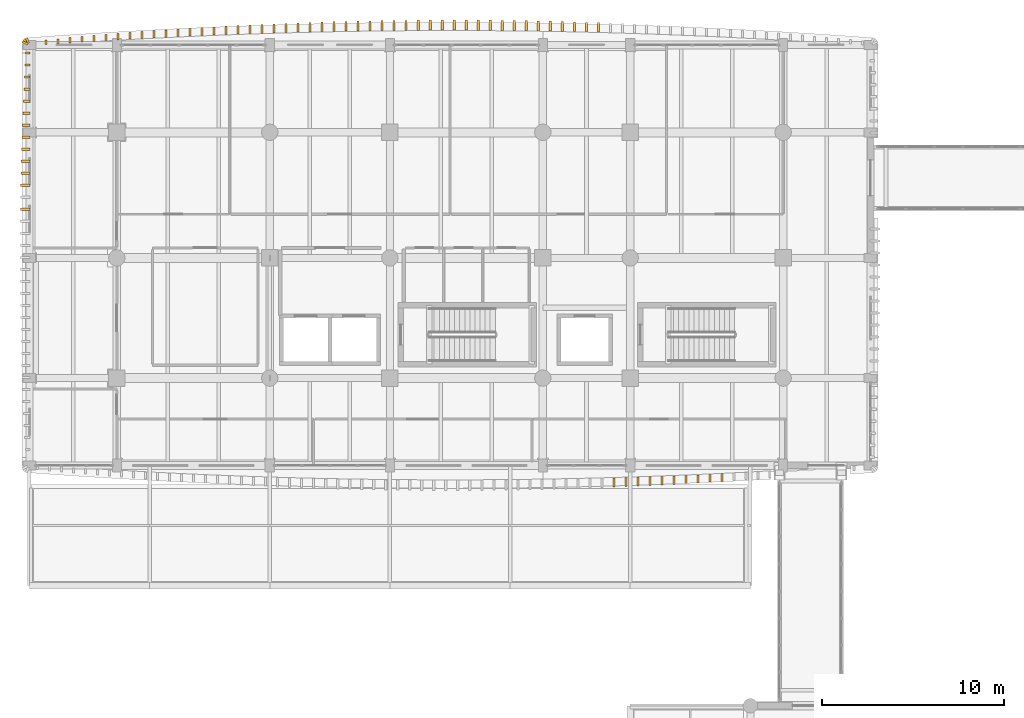
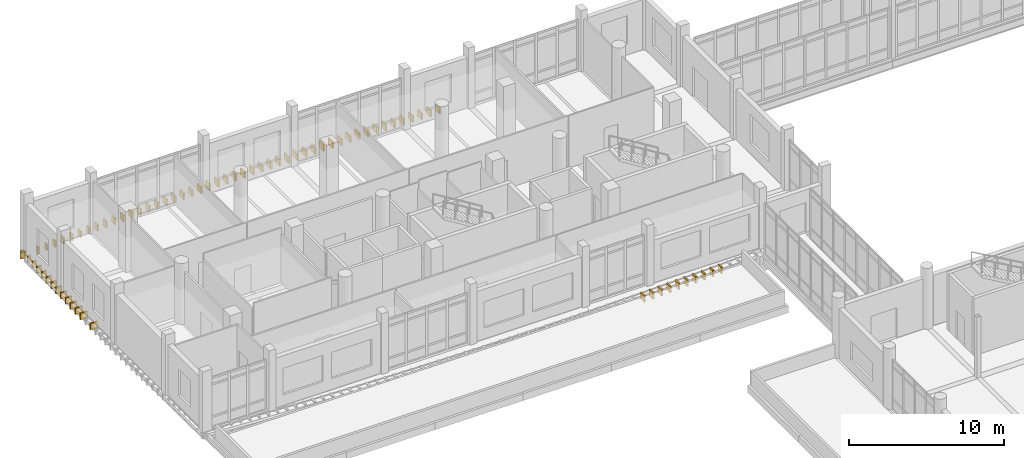
# One storey, part 120 of 125: 73 coverings.
"""IFC4 building model written with IfcOpenShell, lengths in metres."""

from ifc_helpers import new_model, si_unit, direction, frame, origin, origin_2d, place, context, subcontext, project, spatial, rectangle, extrude, material, layer, layer_set, type_object, element, save


model = new_model("IFC4")

# Units and contexts
model_context = context("Model", 3, precision=1e-05, world=origin(), true_north=direction((0.0, 1.0)))
body_context = subcontext(model_context, "Body", "Model", "MODEL_VIEW")
ifc_project = project(units=[si_unit("LENGTHUNIT", "METRE"), si_unit("AREAUNIT", "SQUARE_METRE"), si_unit("VOLUMEUNIT", "CUBIC_METRE"), si_unit("PLANEANGLEUNIT", "RADIAN"), si_unit("MASSUNIT", "GRAM", prefix="KILO")], contexts=[model_context])

# Site, building, storey
site_placement = place(None, origin())
site = spatial("IfcSite", under=ifc_project, at=site_placement, CompositionType="ELEMENT")
building_placement = place(site_placement, origin())
building = spatial("IfcBuilding", under=site, at=building_placement, Name="Dornvale Research Institute", CompositionType="ELEMENT")
storey_placement = place(building_placement, frame((0.0, 0.0, 5.39990234375)))
storey = spatial("IfcBuildingStorey", under=building, at=storey_placement, Name="L01", CompositionType="ELEMENT", Elevation=5.39990234375)

# Coverings
ifc_material = material(Name="Polychrome Glazed Terracotta Visor Rib Ceramic", Category="masonry")
ifc_layer = layer(ifc_material, 0.1201171875)
ifc_layer_set = layer_set([ifc_layer], Name="Polychrome Glazed Terracotta Visor Rib Ceramic")
covering_type = type_object("IfcCoveringType", Name="Covering_VisorBlade_Main", PredefinedType="CLADDING", material=ifc_layer_set)
covering_1_placement = place(storey_placement, frame((32.10791015625, 98.06640625, -0.489990234375), z_axis=(0.0, 0.0, 1.0), x_axis=(0.0, 1.0, 0.0)))
element("IfcCovering", 1, at=covering_1_placement, inside=storey, type_object=covering_type, Name="L01 V5 canted glazed terracotta visor blade #49", PredefinedType="CLADDING", context=body_context, shape_type="SweptSolid", body=[
    extrude(rectangle(XDim=0.508056640625, YDim=0.1201171875, at=origin_2d()), origin(), (0.0, 0.0, 1.0), 0.5),
])
covering_2_placement = place(storey_placement, frame((32.767578125, 98.0888671875, -0.489990234375), z_axis=(0.0, 0.0, 1.0), x_axis=(0.0, 1.0, 0.0)))
element("IfcCovering", 2, at=covering_2_placement, inside=storey, type_object=covering_type, Name="L01 V5 canted glazed terracotta visor blade #50", PredefinedType="CLADDING", context=body_context, shape_type="SweptSolid", body=[
    extrude(rectangle(XDim=0.5009765625, YDim=0.1201171875, at=origin_2d()), origin(), (0.0, 0.0, 1.0), 0.5),
])
covering_3_placement = place(storey_placement, frame((33.42724609375, 98.11474609375, -0.489990234375), z_axis=(0.0, 0.0, 1.0), x_axis=(0.0, 1.0, 0.0)))
element("IfcCovering", 3, at=covering_3_placement, inside=storey, type_object=covering_type, Name="L01 V5 canted glazed terracotta visor blade #51", PredefinedType="CLADDING", context=body_context, shape_type="SweptSolid", body=[
    extrude(rectangle(XDim=0.491943359375, YDim=0.1201171875, at=origin_2d()), origin(), (0.0, 0.0, 1.0), 0.5),
])
covering_4_placement = place(storey_placement, frame((34.0869140625, 98.141845703125, -0.489990234375), z_axis=(0.0, 0.0, 1.0), x_axis=(0.0, 1.0, 0.0)))
element("IfcCovering", 4, at=covering_4_placement, inside=storey, type_object=covering_type, Name="L01 V5 canted glazed terracotta visor blade #52", PredefinedType="CLADDING", context=body_context, shape_type="SweptSolid", body=[
    extrude(rectangle(XDim=0.48291015625, YDim=0.1201171875, at=origin_2d()), origin(), (0.0, 0.0, 1.0), 0.5),
])
covering_5_placement = place(storey_placement, frame((34.74658203125, 98.169189453125, -0.489990234375), z_axis=(0.0, 0.0, 1.0), x_axis=(0.0, 1.0, 0.0)))
element("IfcCovering", 5, at=covering_5_placement, inside=storey, type_object=covering_type, Name="L01 V5 canted glazed terracotta visor blade #53", PredefinedType="CLADDING", context=body_context, shape_type="SweptSolid", body=[
    extrude(rectangle(XDim=0.47412109375, YDim=0.1201171875, at=origin_2d()), origin(), (0.0, 0.0, 1.0), 0.5),
])
covering_6_placement = place(storey_placement, frame((35.406005859375, 98.2001953125, -0.489990234375), z_axis=(0.0, 0.0, 1.0), x_axis=(0.0, 1.0, 0.0)))
element("IfcCovering", 6, at=covering_6_placement, inside=storey, type_object=covering_type, Name="L01 V5 canted glazed terracotta visor blade #54", PredefinedType="CLADDING", context=body_context, shape_type="SweptSolid", body=[
    extrude(rectangle(XDim=0.464111328125, YDim=0.1201171875, at=origin_2d()), origin(), (0.0, 0.0, 1.0), 0.5),
])
covering_7_placement = place(storey_placement, frame((36.0654296875, 98.231689453125, -0.489990234375), z_axis=(0.0, 0.0, 1.0), x_axis=(0.0, 1.0, 0.0)))
element("IfcCovering", 7, at=covering_7_placement, inside=storey, type_object=covering_type, Name="L01 V5 canted glazed terracotta visor blade #55", PredefinedType="CLADDING", context=body_context, shape_type="SweptSolid", body=[
    extrude(rectangle(XDim=0.452880859375, YDim=0.1201171875, at=origin_2d()), origin(), (0.0, 0.0, 1.0), 0.5),
])
covering_8_placement = place(storey_placement, frame((36.724853515625, 98.265625, -0.489990234375), z_axis=(0.0, 0.0, 1.0), x_axis=(0.0, 1.0, 0.0)))
element("IfcCovering", 8, at=covering_8_placement, inside=storey, type_object=covering_type, Name="L01 V5 canted glazed terracotta visor blade #56", PredefinedType="CLADDING", context=body_context, shape_type="SweptSolid", body=[
    extrude(rectangle(XDim=0.44189453125, YDim=0.1201171875, at=origin_2d()), origin(), (0.0, 0.0, 1.0), 0.5),
])
covering_9_placement = place(storey_placement, frame((37.38427734375, 98.301025390625, -0.489990234375), z_axis=(0.0, 0.0, 1.0), x_axis=(0.0, 1.0, 0.0)))
element("IfcCovering", 9, at=covering_9_placement, inside=storey, type_object=covering_type, Name="L01 V5 canted glazed terracotta visor blade #57", PredefinedType="CLADDING", context=body_context, shape_type="SweptSolid", body=[
    extrude(rectangle(XDim=0.429931640625, YDim=0.1201171875, at=origin_2d()), origin(), (0.0, 0.0, 1.0), 0.5),
])
covering_10_placement = place(storey_placement, frame((38.043701171875, 98.3369140625, -0.489990234375), z_axis=(0.0, 0.0, 1.0), x_axis=(0.0, 1.0, 0.0)))
element("IfcCovering", 10, at=covering_10_placement, inside=storey, type_object=covering_type, Name="L01 V5 canted glazed terracotta visor blade #58", PredefinedType="CLADDING", context=body_context, shape_type="SweptSolid", body=[
    extrude(rectangle(XDim=0.41796875, YDim=0.1201171875, at=origin_2d()), origin(), (0.0, 0.0, 1.0), 0.5),
])
covering_11_placement = place(storey_placement, frame((31.25, 123.06298828125, -0.489990234375), z_axis=(0.0, 0.0, 1.0), x_axis=(0.0, 1.0, 0.0)))
element("IfcCovering", 11, at=covering_11_placement, inside=storey, type_object=covering_type, Name="L01 V5 canted glazed terracotta visor blade #86", PredefinedType="CLADDING", context=body_context, shape_type="SweptSolid", body=[
    extrude(rectangle(XDim=0.51806640625, YDim=0.1201171875, at=origin_2d()), origin(), (0.0, 0.0, 1.0), 0.5),
])
covering_12_placement = place(storey_placement, frame((30.590087890625, 123.08154296875, -0.489990234375), z_axis=(0.0, 0.0, 1.0), x_axis=(0.0, 1.0, 0.0)))
element("IfcCovering", 12, at=covering_12_placement, inside=storey, type_object=covering_type, Name="L01 V5 canted glazed terracotta visor blade #87", PredefinedType="CLADDING", context=body_context, shape_type="SweptSolid", body=[
    extrude(rectangle(XDim=0.52392578125, YDim=0.1201171875, at=origin_2d()), origin(), (0.0, 0.0, 1.0), 0.5),
])
covering_13_placement = place(storey_placement, frame((29.930419921875, 123.10009765625, -0.489990234375), z_axis=(0.0, 0.0, 1.0), x_axis=(0.0, 1.0, 0.0)))
element("IfcCovering", 13, at=covering_13_placement, inside=storey, type_object=covering_type, Name="L01 V5 canted glazed terracotta visor blade #88", PredefinedType="CLADDING", context=body_context, shape_type="SweptSolid", body=[
    extrude(rectangle(XDim=0.530029296875, YDim=0.1201171875, at=origin_2d()), origin(), (0.0, 0.0, 1.0), 0.5),
])
covering_14_placement = place(storey_placement, frame((29.2705078125, 123.116455078125, -0.489990234375), z_axis=(0.0, 0.0, 1.0), x_axis=(0.0, 1.0, 0.0)))
element("IfcCovering", 14, at=covering_14_placement, inside=storey, type_object=covering_type, Name="L01 V5 canted glazed terracotta visor blade #89", PredefinedType="CLADDING", context=body_context, shape_type="SweptSolid", body=[
    extrude(rectangle(XDim=0.535888671875, YDim=0.1201171875, at=origin_2d()), origin(), (0.0, 0.0, 1.0), 0.5),
])
covering_15_placement = place(storey_placement, frame((28.610595703125, 123.131103515625, -0.489990234375), z_axis=(0.0, 0.0, 1.0), x_axis=(0.0, 1.0, 0.0)))
element("IfcCovering", 15, at=covering_15_placement, inside=storey, type_object=covering_type, Name="L01 V5 canted glazed terracotta visor blade #90", PredefinedType="CLADDING", context=body_context, shape_type="SweptSolid", body=[
    extrude(rectangle(XDim=0.541015625, YDim=0.1201171875, at=origin_2d()), origin(), (0.0, 0.0, 1.0), 0.5),
])
covering_16_placement = place(storey_placement, frame((27.95068359375, 123.144775390625, -0.489990234375), z_axis=(0.0, 0.0, 1.0), x_axis=(0.0, 1.0, 0.0)))
element("IfcCovering", 16, at=covering_16_placement, inside=storey, type_object=covering_type, Name="L01 V5 canted glazed terracotta visor blade #91", PredefinedType="CLADDING", context=body_context, shape_type="SweptSolid", body=[
    extrude(rectangle(XDim=0.544921875, YDim=0.1201171875, at=origin_2d()), origin(), (0.0, 0.0, 1.0), 0.5),
])
covering_17_placement = place(storey_placement, frame((27.290771484375, 123.155517578125, -0.489990234375), z_axis=(0.0, 0.0, 1.0), x_axis=(0.0, 1.0, 0.0)))
element("IfcCovering", 17, at=covering_17_placement, inside=storey, type_object=covering_type, Name="L01 V5 canted glazed terracotta visor blade #92", PredefinedType="CLADDING", context=body_context, shape_type="SweptSolid", body=[
    extrude(rectangle(XDim=0.549072265625, YDim=0.1201171875, at=origin_2d()), origin(), (0.0, 0.0, 1.0), 0.5),
])
covering_18_placement = place(storey_placement, frame((26.630615234375, 123.165771484375, -0.489990234375), z_axis=(0.0, 0.0, 1.0), x_axis=(0.0, 1.0, 0.0)))
element("IfcCovering", 18, at=covering_18_placement, inside=storey, type_object=covering_type, Name="L01 V5 canted glazed terracotta visor blade #93", PredefinedType="CLADDING", context=body_context, shape_type="SweptSolid", body=[
    extrude(rectangle(XDim=0.552001953125, YDim=0.1201171875, at=origin_2d()), origin(), (0.0, 0.0, 1.0), 0.5),
])
covering_19_placement = place(storey_placement, frame((25.970703125, 123.173583984375, -0.489990234375), z_axis=(0.0, 0.0, 1.0), x_axis=(0.0, 1.0, 0.0)))
element("IfcCovering", 19, at=covering_19_placement, inside=storey, type_object=covering_type, Name="L01 V5 canted glazed terracotta visor blade #94", PredefinedType="CLADDING", context=body_context, shape_type="SweptSolid", body=[
    extrude(rectangle(XDim=0.554931640625, YDim=0.1201171875, at=origin_2d()), origin(), (0.0, 0.0, 1.0), 0.5),
])
covering_20_placement = place(storey_placement, frame((25.310791015625, 123.1796875, -0.489990234375), z_axis=(0.0, 0.0, 1.0), x_axis=(0.0, 1.0, 0.0)))
element("IfcCovering", 20, at=covering_20_placement, inside=storey, type_object=covering_type, Name="L01 V5 canted glazed terracotta visor blade #95", PredefinedType="CLADDING", context=body_context, shape_type="SweptSolid", body=[
    extrude(rectangle(XDim=0.556884765625, YDim=0.1201171875, at=origin_2d()), origin(), (0.0, 0.0, 1.0), 0.5),
])
covering_21_placement = place(storey_placement, frame((24.65087890625, 123.18505859375, -0.489990234375), z_axis=(0.0, 0.0, 1.0), x_axis=(0.0, 1.0, 0.0)))
element("IfcCovering", 21, at=covering_21_placement, inside=storey, type_object=covering_type, Name="L01 V5 canted glazed terracotta visor blade #96", PredefinedType="CLADDING", context=body_context, shape_type="SweptSolid", body=[
    extrude(rectangle(XDim=0.55810546875, YDim=0.1201171875, at=origin_2d()), origin(), (0.0, 0.0, 1.0), 0.5),
])
covering_22_placement = place(storey_placement, frame((23.99072265625, 123.187255859375, -0.489990234375), z_axis=(0.0, 0.0, 1.0), x_axis=(0.0, 1.0, 0.0)))
element("IfcCovering", 22, at=covering_22_placement, inside=storey, type_object=covering_type, Name="L01 V5 canted glazed terracotta visor blade #97", PredefinedType="CLADDING", context=body_context, shape_type="SweptSolid", body=[
    extrude(rectangle(XDim=0.55908203125, YDim=0.1201171875, at=origin_2d()), origin(), (0.0, 0.0, 1.0), 0.5),
])
for number, where, z_axis, x_axis, name in (
    (23, (23.330810546875, 123.189453125, -0.489990234375), (0.0, 0.0, 1.0), (0.0, 1.0, 0.0), "L01 V5 canted glazed terracotta visor blade #98"),
    (24, (22.6708984375, 123.18896484375, -0.489990234375), (0.0, 0.0, 1.0), (0.0, 1.0, 0.0), "L01 V5 canted glazed terracotta visor blade #99"),
):
    element("IfcCovering", number, at=place(storey_placement, frame(where, z_axis=z_axis, x_axis=x_axis)), inside=storey, type_object=covering_type, Name=name, PredefinedType="CLADDING", context=body_context, shape_type="SweptSolid", body=[
        extrude(rectangle(XDim=0.56005859375, YDim=0.1201171875, at=origin_2d()), origin(), (0.0, 0.0, 1.0), 0.5),
    ])
covering_23_placement = place(storey_placement, frame((22.0107421875, 123.186767578125, -0.489990234375), z_axis=(0.0, 0.0, 1.0), x_axis=(0.0, 1.0, 0.0)))
element("IfcCovering", 25, at=covering_23_placement, inside=storey, type_object=covering_type, Name="L01 V5 canted glazed terracotta visor blade #100", PredefinedType="CLADDING", context=body_context, shape_type="SweptSolid", body=[
    extrude(rectangle(XDim=0.55908203125, YDim=0.1201171875, at=origin_2d()), origin(), (0.0, 0.0, 1.0), 0.5),
])
covering_24_placement = place(storey_placement, frame((21.350830078125, 123.183837890625, -0.489990234375), z_axis=(0.0, 0.0, 1.0), x_axis=(0.0, 1.0, 0.0)))
element("IfcCovering", 26, at=covering_24_placement, inside=storey, type_object=covering_type, Name="L01 V5 canted glazed terracotta visor blade #101", PredefinedType="CLADDING", context=body_context, shape_type="SweptSolid", body=[
    extrude(rectangle(XDim=0.55810546875, YDim=0.1201171875, at=origin_2d()), origin(), (0.0, 0.0, 1.0), 0.5),
])
covering_25_placement = place(storey_placement, frame((20.69091796875, 123.177734375, -0.489990234375), z_axis=(0.0, 0.0, 1.0), x_axis=(0.0, 1.0, 0.0)))
element("IfcCovering", 27, at=covering_25_placement, inside=storey, type_object=covering_type, Name="L01 V5 canted glazed terracotta visor blade #102", PredefinedType="CLADDING", context=body_context, shape_type="SweptSolid", body=[
    extrude(rectangle(XDim=0.555908203125, YDim=0.1201171875, at=origin_2d()), origin(), (0.0, 0.0, 1.0), 0.5),
])
covering_26_placement = place(storey_placement, frame((20.031005859375, 123.17138671875, -0.489990234375), z_axis=(0.0, 0.0, 1.0), x_axis=(0.0, 1.0, 0.0)))
element("IfcCovering", 28, at=covering_26_placement, inside=storey, type_object=covering_type, Name="L01 V5 canted glazed terracotta visor blade #103", PredefinedType="CLADDING", context=body_context, shape_type="SweptSolid", body=[
    extrude(rectangle(XDim=0.553955078125, YDim=0.1201171875, at=origin_2d()), origin(), (0.0, 0.0, 1.0), 0.5),
])
covering_27_placement = place(storey_placement, frame((19.370849609375, 123.16259765625, -0.489990234375), z_axis=(0.0, 0.0, 1.0), x_axis=(0.0, 1.0, 0.0)))
element("IfcCovering", 29, at=covering_27_placement, inside=storey, type_object=covering_type, Name="L01 V5 canted glazed terracotta visor blade #104", PredefinedType="CLADDING", context=body_context, shape_type="SweptSolid", body=[
    extrude(rectangle(XDim=0.551025390625, YDim=0.1201171875, at=origin_2d()), origin(), (0.0, 0.0, 1.0), 0.5),
])
covering_28_placement = place(storey_placement, frame((18.7109375, 123.15234375, -0.489990234375), z_axis=(0.0, 0.0, 1.0), x_axis=(0.0, 1.0, 0.0)))
element("IfcCovering", 30, at=covering_28_placement, inside=storey, type_object=covering_type, Name="L01 V5 canted glazed terracotta visor blade #105", PredefinedType="CLADDING", context=body_context, shape_type="SweptSolid", body=[
    extrude(rectangle(XDim=0.548095703125, YDim=0.1201171875, at=origin_2d()), origin(), (0.0, 0.0, 1.0), 0.5),
])
covering_29_placement = place(storey_placement, frame((18.051025390625, 123.14111328125, -0.489990234375), z_axis=(0.0, 0.0, 1.0), x_axis=(0.0, 1.0, 0.0)))
element("IfcCovering", 31, at=covering_29_placement, inside=storey, type_object=covering_type, Name="L01 V5 canted glazed terracotta visor blade #106", PredefinedType="CLADDING", context=body_context, shape_type="SweptSolid", body=[
    extrude(rectangle(XDim=0.5439453125, YDim=0.1201171875, at=origin_2d()), origin(), (0.0, 0.0, 1.0), 0.5),
])
covering_30_placement = place(storey_placement, frame((17.39111328125, 123.12646484375, -0.489990234375), z_axis=(0.0, 0.0, 1.0), x_axis=(0.0, 1.0, 0.0)))
element("IfcCovering", 32, at=covering_30_placement, inside=storey, type_object=covering_type, Name="L01 V5 canted glazed terracotta visor blade #107", PredefinedType="CLADDING", context=body_context, shape_type="SweptSolid", body=[
    extrude(rectangle(XDim=0.5390625, YDim=0.1201171875, at=origin_2d()), origin(), (0.0, 0.0, 1.0), 0.5),
])
covering_31_placement = place(storey_placement, frame((16.731201171875, 123.11181640625, -0.489990234375), z_axis=(0.0, 0.0, 1.0), x_axis=(0.0, 1.0, 0.0)))
element("IfcCovering", 33, at=covering_31_placement, inside=storey, type_object=covering_type, Name="L01 V5 canted glazed terracotta visor blade #108", PredefinedType="CLADDING", context=body_context, shape_type="SweptSolid", body=[
    extrude(rectangle(XDim=0.533935546875, YDim=0.1201171875, at=origin_2d()), origin(), (0.0, 0.0, 1.0), 0.5),
])
covering_32_placement = place(storey_placement, frame((16.0712890625, 123.094970703125, -0.489990234375), z_axis=(0.0, 0.0, 1.0), x_axis=(0.0, 1.0, 0.0)))
element("IfcCovering", 34, at=covering_32_placement, inside=storey, type_object=covering_type, Name="L01 V5 canted glazed terracotta visor blade #109", PredefinedType="CLADDING", context=body_context, shape_type="SweptSolid", body=[
    extrude(rectangle(XDim=0.529052734375, YDim=0.1201171875, at=origin_2d()), origin(), (0.0, 0.0, 1.0), 0.5),
])
covering_33_placement = place(storey_placement, frame((15.41162109375, 123.075927734375, -0.489990234375), z_axis=(0.0, 0.0, 1.0), x_axis=(0.0, 1.0, 0.0)))
element("IfcCovering", 35, at=covering_33_placement, inside=storey, type_object=covering_type, Name="L01 V5 canted glazed terracotta visor blade #110", PredefinedType="CLADDING", context=body_context, shape_type="SweptSolid", body=[
    extrude(rectangle(XDim=0.52197265625, YDim=0.1201171875, at=origin_2d()), origin(), (0.0, 0.0, 1.0), 0.5),
])
covering_34_placement = place(storey_placement, frame((14.751708984375, 123.056884765625, -0.489990234375), z_axis=(0.0, 0.0, 1.0), x_axis=(0.0, 1.0, 0.0)))
element("IfcCovering", 36, at=covering_34_placement, inside=storey, type_object=covering_type, Name="L01 V5 canted glazed terracotta visor blade #111", PredefinedType="CLADDING", context=body_context, shape_type="SweptSolid", body=[
    extrude(rectangle(XDim=0.51611328125, YDim=0.1201171875, at=origin_2d()), origin(), (0.0, 0.0, 1.0), 0.5),
])
covering_35_placement = place(storey_placement, frame((14.092041015625, 123.03369140625, -0.489990234375), z_axis=(0.0, 0.0, 1.0), x_axis=(0.0, 1.0, 0.0)))
element("IfcCovering", 37, at=covering_35_placement, inside=storey, type_object=covering_type, Name="L01 V5 canted glazed terracotta visor blade #112", PredefinedType="CLADDING", context=body_context, shape_type="SweptSolid", body=[
    extrude(rectangle(XDim=0.508056640625, YDim=0.1201171875, at=origin_2d()), origin(), (0.0, 0.0, 1.0), 0.5),
])
covering_36_placement = place(storey_placement, frame((13.432373046875, 123.010986328125, -0.489990234375), z_axis=(0.0, 0.0, 1.0), x_axis=(0.0, 1.0, 0.0)))
element("IfcCovering", 38, at=covering_36_placement, inside=storey, type_object=covering_type, Name="L01 V5 canted glazed terracotta visor blade #113", PredefinedType="CLADDING", context=body_context, shape_type="SweptSolid", body=[
    extrude(rectangle(XDim=0.5009765625, YDim=0.1201171875, at=origin_2d()), origin(), (0.0, 0.0, 1.0), 0.5),
])
covering_37_placement = place(storey_placement, frame((12.772705078125, 122.9853515625, -0.489990234375), z_axis=(0.0, 0.0, 1.0), x_axis=(0.0, 1.0, 0.0)))
element("IfcCovering", 39, at=covering_37_placement, inside=storey, type_object=covering_type, Name="L01 V5 canted glazed terracotta visor blade #114", PredefinedType="CLADDING", context=body_context, shape_type="SweptSolid", body=[
    extrude(rectangle(XDim=0.491943359375, YDim=0.1201171875, at=origin_2d()), origin(), (0.0, 0.0, 1.0), 0.5),
])
covering_38_placement = place(storey_placement, frame((12.113037109375, 122.958251953125, -0.489990234375), z_axis=(0.0, 0.0, 1.0), x_axis=(0.0, 1.0, 0.0)))
element("IfcCovering", 40, at=covering_38_placement, inside=storey, type_object=covering_type, Name="L01 V5 canted glazed terracotta visor blade #115", PredefinedType="CLADDING", context=body_context, shape_type="SweptSolid", body=[
    extrude(rectangle(XDim=0.48291015625, YDim=0.1201171875, at=origin_2d()), origin(), (0.0, 0.0, 1.0), 0.5),
])
covering_39_placement = place(storey_placement, frame((11.45361328125, 122.9306640625, -0.489990234375), z_axis=(0.0, 0.0, 1.0), x_axis=(0.0, 1.0, 0.0)))
element("IfcCovering", 41, at=covering_39_placement, inside=storey, type_object=covering_type, Name="L01 V5 canted glazed terracotta visor blade #116", PredefinedType="CLADDING", context=body_context, shape_type="SweptSolid", body=[
    extrude(rectangle(XDim=0.47412109375, YDim=0.1201171875, at=origin_2d()), origin(), (0.0, 0.0, 1.0), 0.5),
])
covering_40_placement = place(storey_placement, frame((10.7939453125, 122.899658203125, -0.489990234375), z_axis=(0.0, 0.0, 1.0), x_axis=(0.0, 1.0, 0.0)))
element("IfcCovering", 42, at=covering_40_placement, inside=storey, type_object=covering_type, Name="L01 V5 canted glazed terracotta visor blade #117", PredefinedType="CLADDING", context=body_context, shape_type="SweptSolid", body=[
    extrude(rectangle(XDim=0.464111328125, YDim=0.1201171875, at=origin_2d()), origin(), (0.0, 0.0, 1.0), 0.5),
])
covering_41_placement = place(storey_placement, frame((10.134521484375, 122.8681640625, -0.489990234375), z_axis=(0.0, 0.0, 1.0), x_axis=(0.0, 1.0, 0.0)))
element("IfcCovering", 43, at=covering_41_placement, inside=storey, type_object=covering_type, Name="L01 V5 canted glazed terracotta visor blade #118", PredefinedType="CLADDING", context=body_context, shape_type="SweptSolid", body=[
    extrude(rectangle(XDim=0.452880859375, YDim=0.1201171875, at=origin_2d()), origin(), (0.0, 0.0, 1.0), 0.5),
])
covering_42_placement = place(storey_placement, frame((9.47509765625, 122.83447265625, -0.489990234375), z_axis=(0.0, 0.0, 1.0), x_axis=(0.0, 1.0, 0.0)))
element("IfcCovering", 44, at=covering_42_placement, inside=storey, type_object=covering_type, Name="L01 V5 canted glazed terracotta visor blade #119", PredefinedType="CLADDING", context=body_context, shape_type="SweptSolid", body=[
    extrude(rectangle(XDim=0.44189453125, YDim=0.1201171875, at=origin_2d()), origin(), (0.0, 0.0, 1.0), 0.5),
])
covering_43_placement = place(storey_placement, frame((8.81591796875, 122.799072265625, -0.489990234375), z_axis=(0.0, 0.0, 1.0), x_axis=(0.0, 1.0, 0.0)))
element("IfcCovering", 45, at=covering_43_placement, inside=storey, type_object=covering_type, Name="L01 V5 canted glazed terracotta visor blade #120", PredefinedType="CLADDING", context=body_context, shape_type="SweptSolid", body=[
    extrude(rectangle(XDim=0.429931640625, YDim=0.1201171875, at=origin_2d()), origin(), (0.0, 0.0, 1.0), 0.5),
])
covering_44_placement = place(storey_placement, frame((8.156494140625, 122.762939453125, -0.489990234375), z_axis=(0.0, 0.0, 1.0), x_axis=(0.0, 1.0, 0.0)))
element("IfcCovering", 46, at=covering_44_placement, inside=storey, type_object=covering_type, Name="L01 V5 canted glazed terracotta visor blade #121", PredefinedType="CLADDING", context=body_context, shape_type="SweptSolid", body=[
    extrude(rectangle(XDim=0.41796875, YDim=0.1201171875, at=origin_2d()), origin(), (0.0, 0.0, 1.0), 0.5),
])
covering_45_placement = place(storey_placement, frame((7.497314453125, 122.7236328125, -0.489990234375), z_axis=(0.0, 0.0, 1.0), x_axis=(0.0, 1.0, 0.0)))
element("IfcCovering", 47, at=covering_45_placement, inside=storey, type_object=covering_type, Name="L01 V5 canted glazed terracotta visor blade #122", PredefinedType="CLADDING", context=body_context, shape_type="SweptSolid", body=[
    extrude(rectangle(XDim=0.405029296875, YDim=0.1201171875, at=origin_2d()), origin(), (0.0, 0.0, 1.0), 0.5),
])
covering_46_placement = place(storey_placement, frame((6.838134765625, 122.68408203125, -0.489990234375), z_axis=(0.0, 0.0, 1.0), x_axis=(0.0, 1.0, 0.0)))
element("IfcCovering", 48, at=covering_46_placement, inside=storey, type_object=covering_type, Name="L01 V5 canted glazed terracotta visor blade #123", PredefinedType="CLADDING", context=body_context, shape_type="SweptSolid", body=[
    extrude(rectangle(XDim=0.39208984375, YDim=0.1201171875, at=origin_2d()), origin(), (0.0, 0.0, 1.0), 0.5),
])
covering_47_placement = place(storey_placement, frame((6.178955078125, 122.64208984375, -0.489990234375), z_axis=(0.0, 0.0, 1.0), x_axis=(0.0, 1.0, 0.0)))
element("IfcCovering", 49, at=covering_47_placement, inside=storey, type_object=covering_type, Name="L01 V5 canted glazed terracotta visor blade #124", PredefinedType="CLADDING", context=body_context, shape_type="SweptSolid", body=[
    extrude(rectangle(XDim=0.3779296875, YDim=0.1201171875, at=origin_2d()), origin(), (0.0, 0.0, 1.0), 0.5),
])
covering_48_placement = place(storey_placement, frame((5.52001953125, 122.59814453125, -0.489990234375), z_axis=(0.0, 0.0, 1.0), x_axis=(0.0, 1.0, 0.0)))
element("IfcCovering", 50, at=covering_48_placement, inside=storey, type_object=covering_type, Name="L01 V5 canted glazed terracotta visor blade #125", PredefinedType="CLADDING", context=body_context, shape_type="SweptSolid", body=[
    extrude(rectangle(XDim=0.363037109375, YDim=0.1201171875, at=origin_2d()), origin(), (0.0, 0.0, 1.0), 0.5),
])
covering_49_placement = place(storey_placement, frame((4.861083984375, 122.553955078125, -0.489990234375), z_axis=(0.0, 0.0, 1.0), x_axis=(0.0, 1.0, 0.0)))
element("IfcCovering", 51, at=covering_49_placement, inside=storey, type_object=covering_type, Name="L01 V5 canted glazed terracotta visor blade #126", PredefinedType="CLADDING", context=body_context, shape_type="SweptSolid", body=[
    extrude(rectangle(XDim=0.347900390625, YDim=0.1201171875, at=origin_2d()), origin(), (0.0, 0.0, 1.0), 0.5),
])
covering_50_placement = place(storey_placement, frame((4.202392578125, 122.506591796875, -0.489990234375), z_axis=(0.0, 0.0, 1.0), x_axis=(0.0, 1.0, 0.0)))
element("IfcCovering", 52, at=covering_50_placement, inside=storey, type_object=covering_type, Name="L01 V5 canted glazed terracotta visor blade #127", PredefinedType="CLADDING", context=body_context, shape_type="SweptSolid", body=[
    extrude(rectangle(XDim=0.3330078125, YDim=0.1201171875, at=origin_2d()), origin(), (0.0, 0.0, 1.0), 0.5),
])
covering_51_placement = place(storey_placement, frame((3.54345703125, 122.458251953125, -0.489990234375), z_axis=(0.0, 0.0, 1.0), x_axis=(0.0, 1.0, 0.0)))
element("IfcCovering", 53, at=covering_51_placement, inside=storey, type_object=covering_type, Name="L01 V5 canted glazed terracotta visor blade #128", PredefinedType="CLADDING", context=body_context, shape_type="SweptSolid", body=[
    extrude(rectangle(XDim=0.31591796875, YDim=0.1201171875, at=origin_2d()), origin(), (0.0, 0.0, 1.0), 0.5),
])
covering_52_placement = place(storey_placement, frame((2.884765625, 122.408203125, -0.489990234375), z_axis=(0.0, 0.0, 1.0), x_axis=(0.0, 1.0, 0.0)))
element("IfcCovering", 54, at=covering_52_placement, inside=storey, type_object=covering_type, Name="L01 V5 canted glazed terracotta visor blade #129", PredefinedType="CLADDING", context=body_context, shape_type="SweptSolid", body=[
    extrude(rectangle(XDim=0.300048828125, YDim=0.1201171875, at=origin_2d()), origin(), (0.0, 0.0, 1.0), 0.5),
])
covering_53_placement = place(storey_placement, frame((2.226318359375, 122.35595703125, -0.489990234375), z_axis=(0.0, 0.0, 1.0), x_axis=(0.0, 1.0, 0.0)))
element("IfcCovering", 55, at=covering_53_placement, inside=storey, type_object=covering_type, Name="L01 V5 canted glazed terracotta visor blade #130", PredefinedType="CLADDING", context=body_context, shape_type="SweptSolid", body=[
    extrude(rectangle(XDim=0.281982421875, YDim=0.1201171875, at=origin_2d()), origin(), (0.0, 0.0, 1.0), 0.5),
])
covering_54_placement = place(storey_placement, frame((1.567626953125, 122.3037109375, -0.489990234375), z_axis=(0.0, 0.0, 1.0), x_axis=(0.0, 1.0, 0.0)))
element("IfcCovering", 56, at=covering_54_placement, inside=storey, type_object=covering_type, Name="L01 V5 canted glazed terracotta visor blade #131", PredefinedType="CLADDING", context=body_context, shape_type="SweptSolid", body=[
    extrude(rectangle(XDim=0.264892578125, YDim=0.1201171875, at=origin_2d()), origin(), (0.0, 0.0, 1.0), 0.5),
])
for number, where, z_axis, x_axis, name in (
    (57, (0.9091796875, 122.24755859375, -0.489990234375), (0.0, 0.0, 1.0), (0.0, 1.0, 0.0), "L01 V5 canted glazed terracotta visor blade #132"),
    (58, (-0.0830078125, 121.64990234375, -0.489990234375), (0.0, 0.0, 1.0), (1.0, 0.0, 0.0), "L01 V5 canted glazed terracotta visor blade #160"),
):
    element("IfcCovering", number, at=place(storey_placement, frame(where, z_axis=z_axis, x_axis=x_axis)), inside=storey, type_object=covering_type, Name=name, PredefinedType="CLADDING", context=body_context, shape_type="SweptSolid", body=[
        extrude(rectangle(XDim=0.24609375, YDim=0.1201171875, at=origin_2d()), origin(), (0.0, 0.0, 1.0), 0.5),
    ])
covering_55_placement = place(storey_placement, frame((-0.10107421875, 120.989990234375, -0.489990234375), z_axis=(0.0, 0.0, 1.0), x_axis=(1.0, 0.0, 0.0)))
element("IfcCovering", 59, at=covering_55_placement, inside=storey, type_object=covering_type, Name="L01 V5 canted glazed terracotta visor blade #161", PredefinedType="CLADDING", context=body_context, shape_type="SweptSolid", body=[
    extrude(rectangle(XDim=0.281982421875, YDim=0.1201171875, at=origin_2d()), origin(), (0.0, 0.0, 1.0), 0.5),
])
covering_56_placement = place(storey_placement, frame((-0.117919921875, 120.330078125, -0.489990234375), z_axis=(0.0, 0.0, 1.0), x_axis=(1.0, 0.0, 0.0)))
element("IfcCovering", 60, at=covering_56_placement, inside=storey, type_object=covering_type, Name="L01 V5 canted glazed terracotta visor blade #162", PredefinedType="CLADDING", context=body_context, shape_type="SweptSolid", body=[
    extrude(rectangle(XDim=0.31591796875, YDim=0.1201171875, at=origin_2d()), origin(), (0.0, 0.0, 1.0), 0.5),
])
covering_57_placement = place(storey_placement, frame((-0.134033203125, 119.669921875, -0.489990234375), z_axis=(0.0, 0.0, 1.0), x_axis=(1.0, 0.0, 0.0)))
element("IfcCovering", 61, at=covering_57_placement, inside=storey, type_object=covering_type, Name="L01 V5 canted glazed terracotta visor blade #163", PredefinedType="CLADDING", context=body_context, shape_type="SweptSolid", body=[
    extrude(rectangle(XDim=0.347900390625, YDim=0.1201171875, at=origin_2d()), origin(), (0.0, 0.0, 1.0), 0.5),
])
covering_58_placement = place(storey_placement, frame((-0.14892578125, 119.010009765625, -0.489990234375), z_axis=(0.0, 0.0, 1.0), x_axis=(1.0, 0.0, 0.0)))
element("IfcCovering", 62, at=covering_58_placement, inside=storey, type_object=covering_type, Name="L01 V5 canted glazed terracotta visor blade #164", PredefinedType="CLADDING", context=body_context, shape_type="SweptSolid", body=[
    extrude(rectangle(XDim=0.3779296875, YDim=0.1201171875, at=origin_2d()), origin(), (0.0, 0.0, 1.0), 0.5),
])
covering_59_placement = place(storey_placement, frame((-0.16259765625, 118.35009765625, -0.489990234375), z_axis=(0.0, 0.0, 1.0), x_axis=(1.0, 0.0, 0.0)))
element("IfcCovering", 63, at=covering_59_placement, inside=storey, type_object=covering_type, Name="L01 V5 canted glazed terracotta visor blade #165", PredefinedType="CLADDING", context=body_context, shape_type="SweptSolid", body=[
    extrude(rectangle(XDim=0.405029296875, YDim=0.1201171875, at=origin_2d()), origin(), (0.0, 0.0, 1.0), 0.5),
])
covering_60_placement = place(storey_placement, frame((-0.175048828125, 117.68994140625, -0.489990234375), z_axis=(0.0, 0.0, 1.0), x_axis=(1.0, 0.0, 0.0)))
element("IfcCovering", 64, at=covering_60_placement, inside=storey, type_object=covering_type, Name="L01 V5 canted glazed terracotta visor blade #166", PredefinedType="CLADDING", context=body_context, shape_type="SweptSolid", body=[
    extrude(rectangle(XDim=0.429931640625, YDim=0.1201171875, at=origin_2d()), origin(), (0.0, 0.0, 1.0), 0.5),
])
covering_61_placement = place(storey_placement, frame((-0.1865234375, 117.030029296875, -0.489990234375), z_axis=(0.0, 0.0, 1.0), x_axis=(1.0, 0.0, 0.0)))
element("IfcCovering", 65, at=covering_61_placement, inside=storey, type_object=covering_type, Name="L01 V5 canted glazed terracotta visor blade #167", PredefinedType="CLADDING", context=body_context, shape_type="SweptSolid", body=[
    extrude(rectangle(XDim=0.452880859375, YDim=0.1201171875, at=origin_2d()), origin(), (0.0, 0.0, 1.0), 0.5),
])
covering_62_placement = place(storey_placement, frame((-0.197021484375, 116.3701171875, -0.489990234375), z_axis=(0.0, 0.0, 1.0), x_axis=(1.0, 0.0, 0.0)))
element("IfcCovering", 66, at=covering_62_placement, inside=storey, type_object=covering_type, Name="L01 V5 canted glazed terracotta visor blade #168", PredefinedType="CLADDING", context=body_context, shape_type="SweptSolid", body=[
    extrude(rectangle(XDim=0.47412109375, YDim=0.1201171875, at=origin_2d()), origin(), (0.0, 0.0, 1.0), 0.5),
])
covering_63_placement = place(storey_placement, frame((-0.2060546875, 115.7099609375, -0.489990234375), z_axis=(0.0, 0.0, 1.0), x_axis=(1.0, 0.0, 0.0)))
element("IfcCovering", 67, at=covering_63_placement, inside=storey, type_object=covering_type, Name="L01 V5 canted glazed terracotta visor blade #169", PredefinedType="CLADDING", context=body_context, shape_type="SweptSolid", body=[
    extrude(rectangle(XDim=0.491943359375, YDim=0.1201171875, at=origin_2d()), origin(), (0.0, 0.0, 1.0), 0.5),
])
covering_64_placement = place(storey_placement, frame((-0.214111328125, 115.050048828125, -0.489990234375), z_axis=(0.0, 0.0, 1.0), x_axis=(1.0, 0.0, 0.0)))
element("IfcCovering", 68, at=covering_64_placement, inside=storey, type_object=covering_type, Name="L01 V5 canted glazed terracotta visor blade #170", PredefinedType="CLADDING", context=body_context, shape_type="SweptSolid", body=[
    extrude(rectangle(XDim=0.508056640625, YDim=0.1201171875, at=origin_2d()), origin(), (0.0, 0.0, 1.0), 0.5),
])
covering_65_placement = place(storey_placement, frame((-0.220947265625, 114.389892578125, -0.489990234375), z_axis=(0.0, 0.0, 1.0), x_axis=(1.0, 0.0, 0.0)))
element("IfcCovering", 69, at=covering_65_placement, inside=storey, type_object=covering_type, Name="L01 V5 canted glazed terracotta visor blade #171", PredefinedType="CLADDING", context=body_context, shape_type="SweptSolid", body=[
    extrude(rectangle(XDim=0.52197265625, YDim=0.1201171875, at=origin_2d()), origin(), (0.0, 0.0, 1.0), 0.5),
])
covering_66_placement = place(storey_placement, frame((-0.23193359375, 113.070068359375, -0.489990234375), z_axis=(0.0, 0.0, 1.0), x_axis=(1.0, 0.0, 0.0)))
element("IfcCovering", 70, at=covering_66_placement, inside=storey, type_object=covering_type, Name="L01 V5 canted glazed terracotta visor blade #173", PredefinedType="CLADDING", context=body_context, shape_type="SweptSolid", body=[
    extrude(rectangle(XDim=0.5439453125, YDim=0.1201171875, at=origin_2d()), origin(), (0.0, 0.0, 1.0), 0.5),
])
for number, where, z_axis, x_axis, name in (
    (71, (-0.114013671875, 122.3447265625, -0.489990234375), (0.0, 0.0, 1.0), (-0.422618261741, 0.906307787037, 0.0), "L01 V5 corner-wrapping visor blade #203"),
    (72, (-0.19091796875, 122.291015625, -0.489990234375), (0.0, 0.0, 1.0), (-0.707106781187, 0.707106781187, 0.0), "L01 V5 corner-wrapping visor blade #204"),
    (73, (-0.24462890625, 122.214111328125, -0.489990234375), (0.0, 0.0, 1.0), (-0.906307787037, 0.422618261741, 0.0), "L01 V5 corner-wrapping visor blade #205"),
):
    element("IfcCovering", number, at=place(storey_placement, frame(where, z_axis=z_axis, x_axis=x_axis)), inside=storey, type_object=covering_type, Name=name, PredefinedType="CLADDING", context=body_context, shape_type="SweptSolid", body=[
        extrude(rectangle(XDim=0.320068359375, YDim=0.1201171875, at=origin_2d()), origin(), (0.0, 0.0, 1.0), 0.5),
    ])

save(model, "model.ifc")
